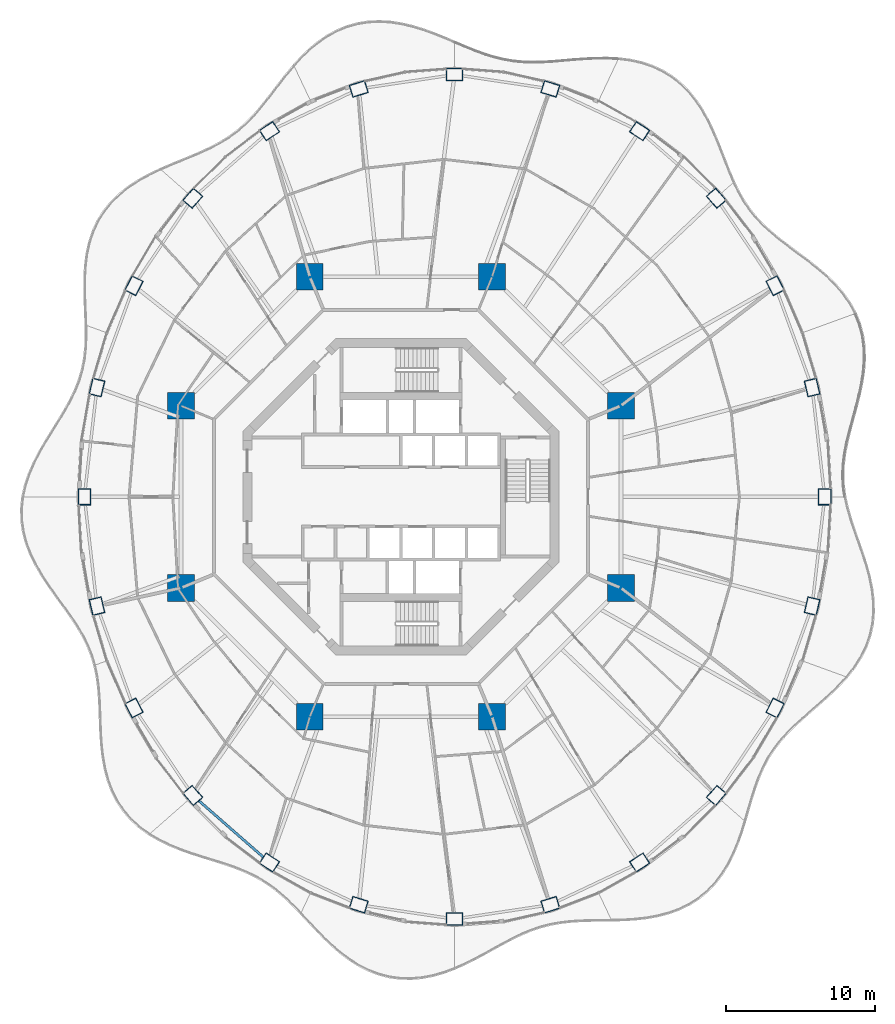
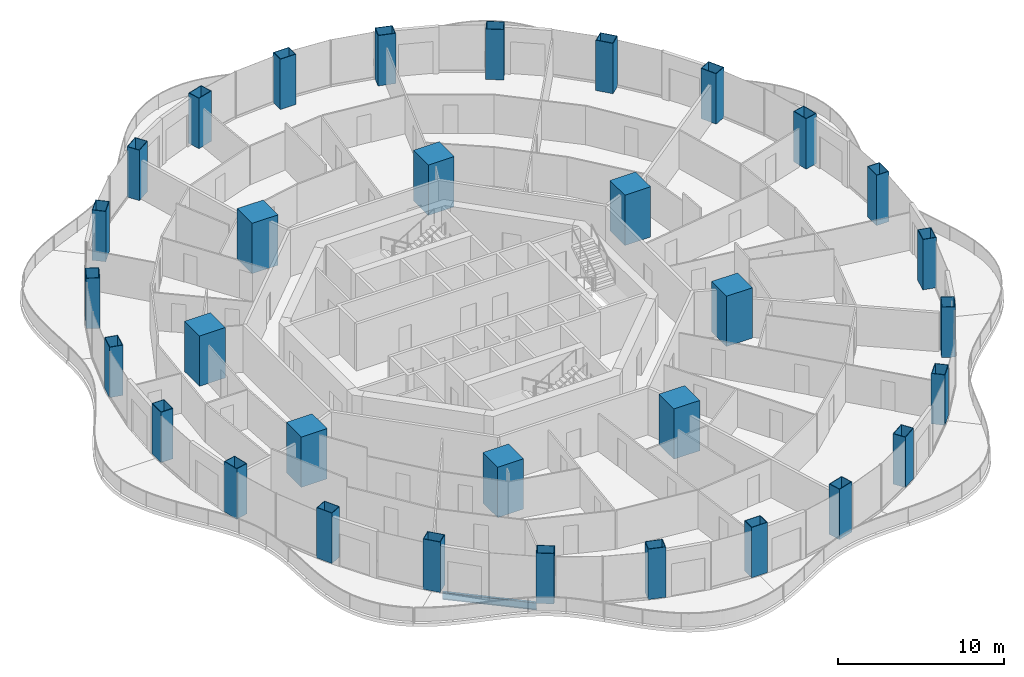
# One storey, part 1 of 19: 32 columns, 1 beam.
"""IFC4 building model written with IfcOpenShell, lengths in metres."""

from ifc_helpers import new_model, si_unit, direction, frame, origin, origin_2d, place, context, subcontext, project, spatial, rectangle, hollow_rectangle, i_section, extrude, material, material_profile, profile_set, type_object, element, save


model = new_model("IFC4")

# Units and contexts
model_context = context("Model", 3, precision=1e-05, world=origin(), true_north=direction((0.0, 1.0)))
body_context = subcontext(model_context, "Body", "Model", "MODEL_VIEW")
ifc_project = project(units=[si_unit("LENGTHUNIT", "METRE"), si_unit("AREAUNIT", "SQUARE_METRE"), si_unit("VOLUMEUNIT", "CUBIC_METRE"), si_unit("PLANEANGLEUNIT", "RADIAN"), si_unit("MASSUNIT", "GRAM", prefix="KILO")], contexts=[model_context])

# Site, building, storey
site_placement = place(None, origin())
site = spatial("IfcSite", under=ifc_project, at=site_placement, CompositionType="ELEMENT")
building_placement = place(site_placement, origin())
building = spatial("IfcBuilding", under=site, at=building_placement, Name="Nagisa Residences", CompositionType="ELEMENT")
storey_placement = place(building_placement, frame((0.0, 0.0, 195.5)))
storey = spatial("IfcBuildingStorey", under=building, at=storey_placement, Name="L49", CompositionType="ELEMENT", Elevation=195.5)

# Columns
ifc_material_1 = material(Name="Concrete C80", Category="concrete")
ifc_material_profile_1 = material_profile(ifc_material_1, rectangle(XDim=1.800048828125, YDim=1.800048828125, at=origin_2d()), Name="C80 1800x1800")
ifc_profile_set_1 = profile_set([ifc_material_profile_1], Name="Concrete C80")
column_type_1 = type_object("IfcColumnType", Name="Inner megacolumn C80 1800x1800", PredefinedType="COLUMN", material=ifc_profile_set_1)
for number, where, z_axis, x_axis, name in (
    (1, (14.781982421875, 6.123046875, 0.0), (0.0, 0.0, 1.0), (1.0, 0.0, 0.0), "col:L49:i1"),
    (2, (6.123046875, 14.781982421875, 0.0), (0.0, 0.0, 1.0), (1.0, 0.0, 0.0), "col:L49:i2"),
    (3, (-6.123046875, 14.781982421875, 0.0), (0.0, 0.0, 1.0), (1.0, 0.0, 0.0), "col:L49:i3"),
    (4, (-14.781982421875, 6.123046875, 0.0), (0.0, 0.0, 1.0), (1.0, 0.0, 0.0), "col:L49:i4"),
    (5, (-14.781982421875, -6.123046875, 0.0), (0.0, 0.0, 1.0), (1.0, 0.0, 0.0), "col:L49:i5"),
    (6, (-6.123046875, -14.781982421875, 0.0), (0.0, 0.0, 1.0), (1.0, 0.0, 0.0), "col:L49:i6"),
    (7, (6.123046875, -14.781982421875, 0.0), (0.0, 0.0, 1.0), (1.0, 0.0, 0.0), "col:L49:i7"),
    (8, (14.781982421875, -6.123046875, 0.0), (0.0, 0.0, 1.0), (1.0, 0.0, 0.0), "col:L49:i8"),
):
    element("IfcColumn", number, at=place(storey_placement, frame(where, z_axis=z_axis, x_axis=x_axis)), inside=storey, type_object=column_type_1, Name=name, PredefinedType="COLUMN", context=body_context, shape_type="SweptSolid", body=[
        extrude(rectangle(XDim=1.800048828125, YDim=1.800048828125, at=origin_2d()), origin(), (0.0, 0.0, 1.0), 3.699951171875),
    ])
ifc_material_2 = material(Name="Steel ASTM A572 Gr 50", Category="steel")
ifc_material_profile_2 = material_profile(ifc_material_2, hollow_rectangle(XDim=1.10009765625, YDim=0.85009765625, WallThickness=0.035888671875, at=origin_2d()), Name="BX 1100x850x36")
ifc_profile_set_2 = profile_set([ifc_material_profile_2], Name="Steel ASTM A572 Gr 50")
column_type_2 = type_object("IfcColumnType", Name="Perimeter column BX 1100x850x36", PredefinedType="COLUMN", material=ifc_profile_set_2)
for number, where, z_axis, x_axis, name in (
    (9, (28.47509765625, 0.0, 0.0), (0.0, 0.0, 1.0), (0.0, 1.0, 0.0), "col:L49:p00"),
    (10, (27.62744140625, 7.343994140625, 0.0), (0.0, 0.0, 1.0), (-0.229202013103, 0.973378876486, 0.0), "col:L49:p01"),
    (11, (25.142333984375, 14.1875, 0.0), (0.0, 0.0, 1.0), (-0.452462697578, 0.891783329795, 0.0), "col:L49:p02"),
    (12, (21.189208984375, 20.064208984375, 0.0), (0.0, 0.0, 1.0), (-0.660114607735, 0.751164898445, 0.0), "col:L49:p03"),
    (13, (16.03759765625, 24.573486328125, 0.0), (0.0, 0.0, 1.0), (-0.835766105673, 0.54908561865, 0.0), "col:L49:p04"),
    (14, (10.0380859375, 27.408203125, 0.0), (0.0, 0.0, 1.0), (-0.956524583408, 0.291651712384, 0.0), "col:L49:p05"),
    (15, (3.60009765625, 28.375, 0.0), (0.0, 0.0, 1.0), (-1.0, 0.0, 0.0), "col:L49:p06"),
    (16, (-2.838134765625, 27.408203125, 0.0), (0.0, 0.0, 1.0), (-0.956524583408, -0.291651712384, 0.0), "col:L49:p07"),
    (17, (-8.83740234375, 24.573486328125, 0.0), (0.0, 0.0, 1.0), (-0.835766105673, -0.54908561865, 0.0), "col:L49:p08"),
    (18, (-13.9892578125, 20.064208984375, 0.0), (0.0, 0.0, 1.0), (-0.660114607735, -0.751164898445, 0.0), "col:L49:p09"),
    (19, (-17.9423828125, 14.1875, 0.0), (0.0, 0.0, 1.0), (-0.452462697578, -0.891783329795, 0.0), "col:L49:p10"),
    (20, (-20.427490234375, 7.343994140625, 0.0), (0.0, 0.0, 1.0), (-0.229202013103, -0.973378876486, 0.0), "col:L49:p11"),
    (21, (-21.27490234375, 0.0, 0.0), (0.0, 0.0, 1.0), (0.0, -1.0, 0.0), "col:L49:p12"),
    (22, (-20.427490234375, -7.343994140625, 0.0), (0.0, 0.0, 1.0), (0.229202013103, -0.973378876486, 0.0), "col:L49:p13"),
    (23, (-17.9423828125, -14.1875, 0.0), (0.0, 0.0, 1.0), (0.452462697578, -0.891783329795, 0.0), "col:L49:p14"),
    (24, (-13.9892578125, -20.064208984375, 0.0), (0.0, 0.0, 1.0), (0.660114607735, -0.751164898445, 0.0), "col:L49:p15"),
    (25, (-8.83740234375, -24.573486328125, 0.0), (0.0, 0.0, 1.0), (0.835766105673, -0.54908561865, 0.0), "col:L49:p16"),
    (26, (-2.838134765625, -27.408203125, 0.0), (0.0, 0.0, 1.0), (0.956524583408, -0.291651712384, 0.0), "col:L49:p17"),
    (27, (3.60009765625, -28.375, 0.0), (0.0, 0.0, 1.0), (1.0, 0.0, 0.0), "col:L49:p18"),
    (28, (10.0380859375, -27.408203125, 0.0), (0.0, 0.0, 1.0), (0.956524583408, 0.291651712384, 0.0), "col:L49:p19"),
    (29, (16.03759765625, -24.573486328125, 0.0), (0.0, 0.0, 1.0), (0.835766105673, 0.54908561865, 0.0), "col:L49:p20"),
    (30, (21.189208984375, -20.064208984375, 0.0), (0.0, 0.0, 1.0), (0.660114607735, 0.751164898445, 0.0), "col:L49:p21"),
    (31, (25.142333984375, -14.1875, 0.0), (0.0, 0.0, 1.0), (0.452462697578, 0.891783329795, 0.0), "col:L49:p22"),
    (32, (27.62744140625, -7.343994140625, 0.0), (0.0, 0.0, 1.0), (0.229202013103, 0.973378876486, 0.0), "col:L49:p23"),
):
    element("IfcColumn", number, at=place(storey_placement, frame(where, z_axis=z_axis, x_axis=x_axis)), inside=storey, type_object=column_type_2, Name=name, PredefinedType="COLUMN", context=body_context, shape_type="SweptSolid", body=[
        extrude(hollow_rectangle(XDim=1.10009765625, YDim=0.85009765625, WallThickness=0.035888671875, at=origin_2d()), origin(), (0.0, 0.0, 1.0), 3.699951171875),
    ])

# Beam
ifc_material_3 = material(Name="Steel ASTM A572 Gr 50", Category="steel")
ifc_material_profile_3 = material_profile(ifc_material_3, i_section(OverallWidth=0.166015625, OverallDepth=0.534912109375, WebThickness=0.01025390625, FlangeThickness=0.0166015625, at=origin_2d()), Name="W530x85")
ifc_profile_set_3 = profile_set([ifc_material_profile_3], Name="Steel ASTM A572 Gr 50")
beam_type = type_object("IfcBeamType", Name="Perimeter ring beam W530x85", PredefinedType="BEAM", material=ifc_profile_set_3)
beam_placement = place(storey_placement, frame((-13.5869140625, -20.416259765625, -0.527587890625), z_axis=(0.752461486776, -0.658636250838, 0.0), x_axis=(0.658636250838, 0.752461486776, 0.0)))
element("IfcBeam", 33, at=beam_placement, inside=storey, type_object=beam_type, Name="beam:L49:pb16", PredefinedType="BEAM", context=body_context, shape_type="SweptSolid", body=[
    extrude(i_section(OverallWidth=0.166015625, OverallDepth=0.534912109375, WebThickness=0.01025390625, FlangeThickness=0.0166015625, at=origin_2d()), origin(), (0.0, 0.0, 1.0), 5.776611328125),
])

save(model, "model.ifc")
